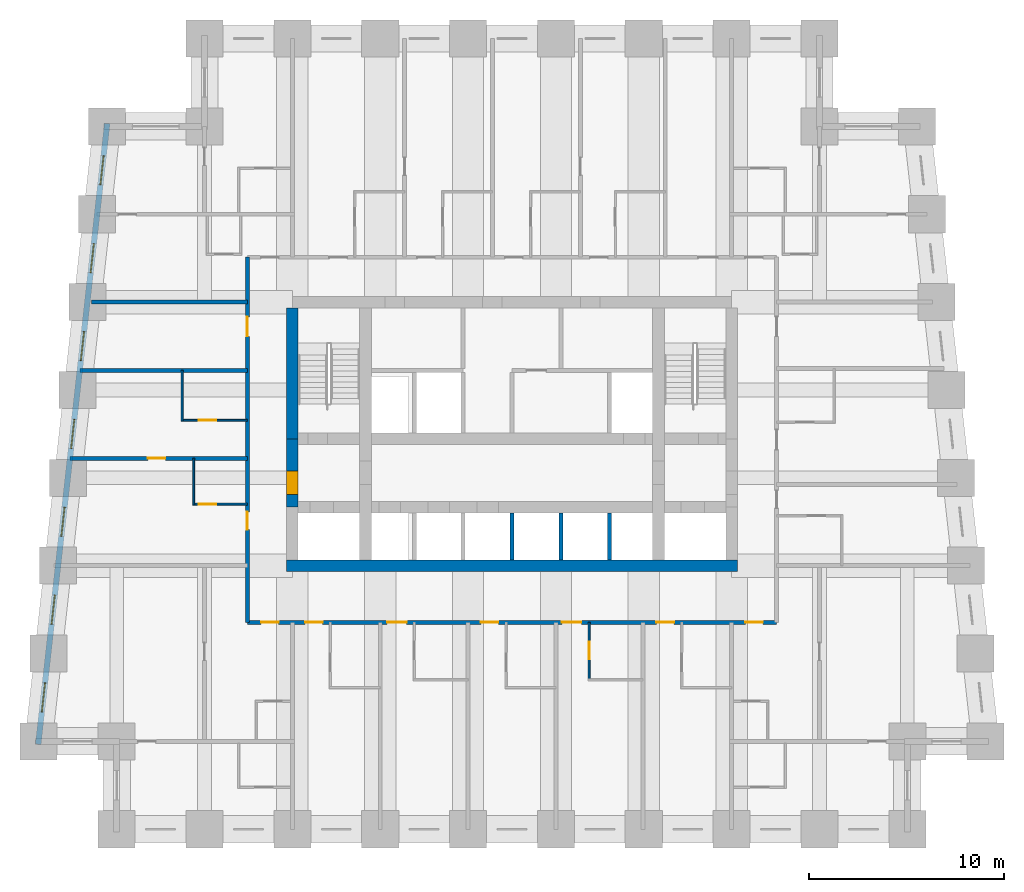
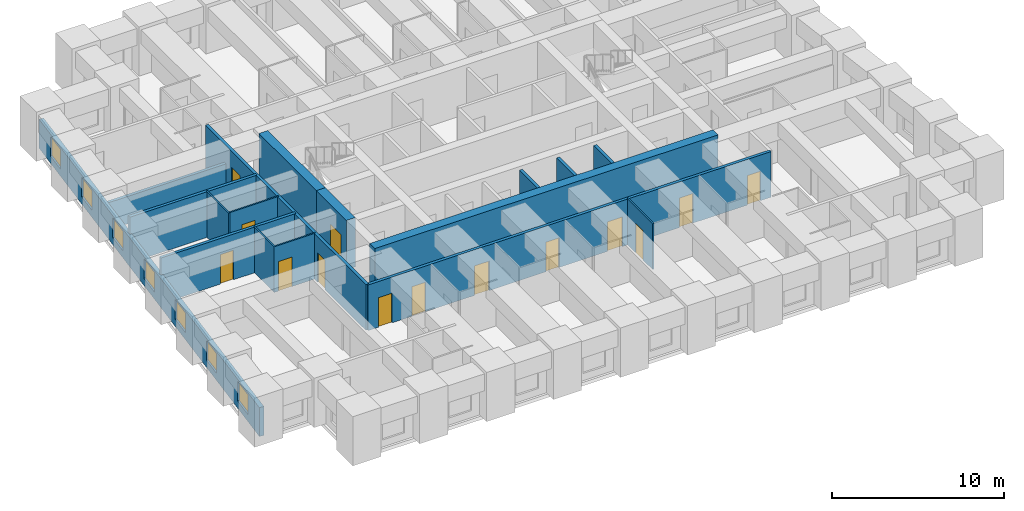
# One storey, part 3 of 8: 17 walls, 14 doors, 7 windows, 21 openings.
"""IFC4 building model written with IfcOpenShell, lengths in metres."""

from ifc_helpers import new_model, si_unit, direction, frame, frame_2d, origin, place, context, subcontext, project, spatial, rectangle, extrude, material, layer, layer_set, type_object, element, fill, save


model = new_model("IFC4")

# Units and contexts
model_context = context("Model", 3, precision=1e-05, world=origin(), true_north=direction((0.0, 1.0)))
body_context = subcontext(model_context, "Body", "Model", "MODEL_VIEW")
ifc_project = project(units=[si_unit("LENGTHUNIT", "METRE"), si_unit("AREAUNIT", "SQUARE_METRE"), si_unit("VOLUMEUNIT", "CUBIC_METRE"), si_unit("PLANEANGLEUNIT", "RADIAN"), si_unit("MASSUNIT", "GRAM", prefix="KILO")], contexts=[model_context])

# Site, building, storey
site_placement = place(None, origin())
site = spatial("IfcSite", under=ifc_project, at=site_placement, CompositionType="ELEMENT")
building_placement = place(site_placement, origin())
building = spatial("IfcBuilding", under=site, at=building_placement, Name="Kilele Tower Hotel", CompositionType="ELEMENT")
storey_placement = place(building_placement, frame((0.0, 0.0, 78.699951171875)))
storey = spatial("IfcBuildingStorey", under=building, at=storey_placement, Name="L19", CompositionType="ELEMENT", Elevation=78.699951171875)

# Wall, opening, door
ifc_material_1 = material(Name="Moisture-resistant board")
ifc_layer_1 = layer(ifc_material_1, 0.10009765625)
ifc_layer_set_1 = layer_set([ifc_layer_1], Name="Moisture-resistant board")
wall_type_1 = type_object("IfcWallType", Name="Bathroom partition 100", PredefinedType="PLUMBINGWALL", material=ifc_layer_set_1)
wall_1_placement = place(storey_placement, frame((28.699951171875, 10.60009765625, 0.0), z_axis=(0.0, 0.0, 1.0), x_axis=(0.0, -1.0, 0.0)))
wall_1 = element("IfcWall", 1, at=wall_1_placement, inside=storey, type_object=wall_type_1, Name="Bathroom partition 100 L19", PredefinedType="PLUMBINGWALL", context=body_context, shape_type="SweptSolid", body=[
    extrude(rectangle(XDim=3.0, YDim=0.10009765625, at=frame_2d((1.5, 0.0))), origin(), (0.0, 0.0, 1.0), 3.25),
])
opening_1_placement = place(wall_1_placement, frame((1.89990234375, 0.0, 0.0), z_axis=(0.0, 0.0, 1.0), x_axis=(-1.0, 0.0, 0.0)))
opening_1 = element("IfcOpeningElement", 2, at=opening_1_placement, cuts=wall_1, Name="Opening D2A", PredefinedType="OPENING", context=body_context, shape_type="SweptSolid", body=[
    extrude(rectangle(XDim=0.89990234375, YDim=2.10009765625, at=frame_2d((0.449951171875, 1.050048828125))), frame((0.0, 0.06005859375, 0.0), z_axis=(0.0, -1.0, 0.0), x_axis=(1.0, 0.0, 0.0)), (0.0, 0.0, 1.0), 0.1201171875),
])
ifc_material_2 = material(Name="Timber door leaf in hardwood frame", Category="wood")
door_type_1 = type_object("IfcDoorType", Name="Bathroom door 900", OperationType="SINGLE_SWING_LEFT", PredefinedType="DOOR", material=ifc_material_2)
door_1_placement = place(opening_1_placement, origin())
door_1 = element("IfcDoor", 3, at=door_1_placement, inside=storey, type_object=door_type_1, Name="Bathroom door 1904B", OperationType="SINGLE_SWING_RIGHT", OverallHeight=2.10009765625, OverallWidth=0.89990234375, PredefinedType="DOOR", context=body_context, shape_type="SweptSolid", body=[
    extrude(rectangle(XDim=0.89990234375, YDim=2.10009765625, at=frame_2d((0.449951171875, 1.050048828125))), frame((0.0, 0.02490234375, 0.0), z_axis=(0.0, -1.0, 0.0), x_axis=(1.0, 0.0, 0.0)), (0.0, 0.0, 1.0), 0.050048828125),
])
fill(opening_1, door_1)

# Wall
wall_2_placement = place(storey_placement, frame((8.449951171875, 16.60009765625, 0.0), z_axis=(0.0, 0.0, 1.0), x_axis=(0.0, 1.0, 0.0)))
element("IfcWall", 4, at=wall_2_placement, inside=storey, type_object=wall_type_1, Name="Bathroom partition 100 L19", PredefinedType="PLUMBINGWALL", context=body_context, shape_type="SweptSolid", body=[
    extrude(rectangle(XDim=2.39990234375, YDim=0.10009765625, at=frame_2d((1.199951171875, 0.0))), origin(), (0.0, 0.0, 1.0), 3.25),
])

# Wall, opening, door
wall_3_placement = place(storey_placement, frame((11.199951171875, 16.64990234375, 0.0), z_axis=(0.0, 0.0, 1.0), x_axis=(-1.0, 0.0, 0.0)))
wall_3 = element("IfcWall", 5, at=wall_3_placement, inside=storey, type_object=wall_type_1, Name="Bathroom partition 100 L19", PredefinedType="PLUMBINGWALL", context=body_context, shape_type="SweptSolid", body=[
    extrude(rectangle(XDim=2.800048828125, YDim=0.10009765625, at=frame_2d((1.39990234375, 0.0))), origin(), (0.0, 0.0, 1.0), 3.25),
])
opening_2_placement = place(wall_3_placement, frame((1.60009765625, 0.0, 0.0)))
opening_2 = element("IfcOpeningElement", 6, at=opening_2_placement, cuts=wall_3, Name="Opening D2A", PredefinedType="OPENING", context=body_context, shape_type="SweptSolid", body=[
    extrude(rectangle(XDim=0.89990234375, YDim=2.10009765625, at=frame_2d((0.449951171875, 1.050048828125))), frame((0.0, 0.06005859375, 0.0), z_axis=(0.0, -1.0, 0.0), x_axis=(1.0, 0.0, 0.0)), (0.0, 0.0, 1.0), 0.1201171875),
])
door_2_placement = place(opening_2_placement, origin())
door_2 = element("IfcDoor", 7, at=door_2_placement, inside=storey, type_object=door_type_1, Name="Bathroom door 1914B", OperationType="SINGLE_SWING_RIGHT", OverallHeight=2.10009765625, OverallWidth=0.89990234375, PredefinedType="DOOR", context=body_context, shape_type="SweptSolid", body=[
    extrude(rectangle(XDim=0.89990234375, YDim=2.10009765625, at=frame_2d((0.449951171875, 1.050048828125))), frame((0.0, 0.02490234375, 0.0), z_axis=(0.0, -1.0, 0.0), x_axis=(1.0, 0.0, 0.0)), (0.0, 0.0, 1.0), 0.050048828125),
])
fill(opening_2, door_2)

# Wall
wall_4_placement = place(storey_placement, frame((7.85009765625, 20.89990234375, 0.0), z_axis=(0.0, 0.0, 1.0), x_axis=(0.0, 1.0, 0.0)))
element("IfcWall", 8, at=wall_4_placement, inside=storey, type_object=wall_type_1, Name="Bathroom partition 100 L19", PredefinedType="PLUMBINGWALL", context=body_context, shape_type="SweptSolid", body=[
    extrude(rectangle(XDim=2.60009765625, YDim=0.10009765625, at=frame_2d((1.300048828125, 0.0))), origin(), (0.0, 0.0, 1.0), 3.25),
])

# Wall, opening, door
wall_5_placement = place(storey_placement, frame((11.199951171875, 20.949951171875, 0.0), z_axis=(0.0, 0.0, 1.0), x_axis=(-1.0, 0.0, 0.0)))
wall_5 = element("IfcWall", 9, at=wall_5_placement, inside=storey, type_object=wall_type_1, Name="Bathroom partition 100 L19", PredefinedType="PLUMBINGWALL", context=body_context, shape_type="SweptSolid", body=[
    extrude(rectangle(XDim=3.39990234375, YDim=0.10009765625, at=frame_2d((1.699951171875, 0.0))), origin(), (0.0, 0.0, 1.0), 3.25),
])
opening_3_placement = place(wall_5_placement, frame((1.60009765625, 0.0, 0.0)))
opening_3 = element("IfcOpeningElement", 10, at=opening_3_placement, cuts=wall_5, Name="Opening D2A", PredefinedType="OPENING", context=body_context, shape_type="SweptSolid", body=[
    extrude(rectangle(XDim=0.89990234375, YDim=2.10009765625, at=frame_2d((0.449951171875, 1.050048828125))), frame((0.0, 0.06005859375, 0.0), z_axis=(0.0, -1.0, 0.0), x_axis=(1.0, 0.0, 0.0)), (0.0, 0.0, 1.0), 0.1201171875),
])
door_3_placement = place(opening_3_placement, origin())
door_3 = element("IfcDoor", 11, at=door_3_placement, inside=storey, type_object=door_type_1, Name="Bathroom door 1915B", OperationType="SINGLE_SWING_RIGHT", OverallHeight=2.10009765625, OverallWidth=0.89990234375, PredefinedType="DOOR", context=body_context, shape_type="SweptSolid", body=[
    extrude(rectangle(XDim=0.89990234375, YDim=2.10009765625, at=frame_2d((0.449951171875, 1.050048828125))), frame((0.0, 0.02490234375, 0.0), z_axis=(0.0, -1.0, 0.0), x_axis=(1.0, 0.0, 0.0)), (0.0, 0.0, 1.0), 0.050048828125),
])
fill(opening_3, door_3)

# Walls
ifc_material_3 = material(Name="Concrete C60/75", Category="concrete")
ifc_layer_2 = layer(ifc_material_3, 0.60009765625)
ifc_layer_set_2 = layer_set([ifc_layer_2], Name="Concrete C60/75")
wall_type_2 = type_object("IfcWallType", Name="Core wall 600 C60/75", PredefinedType="SHEAR", material=ifc_layer_set_2)
wall_6_placement = place(storey_placement, frame((13.199951171875, 13.5, 0.0), z_axis=(0.0, 0.0, 1.0), x_axis=(1.0, 0.0, 0.0)))
element("IfcWall", 12, at=wall_6_placement, inside=storey, type_object=wall_type_2, Name="Core wall S L19", PredefinedType="SHEAR", context=body_context, shape_type="SweptSolid", body=[
    extrude(rectangle(XDim=23.10009765625, YDim=0.60009765625, at=frame_2d((11.550048828125, 0.0))), origin(), (0.0, 0.0, 1.0), 3.5),
])
wall_7_placement = place(storey_placement, frame((13.5, 26.699951171875, 0.0), z_axis=(0.0, 0.0, 1.0), x_axis=(0.0, -1.0, 0.0)))
element("IfcWall", 13, at=wall_7_placement, inside=storey, type_object=wall_type_2, Name="Core wall W1 L19", PredefinedType="SHEAR", context=body_context, shape_type="SweptSolid", body=[
    extrude(rectangle(XDim=6.699951171875, YDim=0.60009765625, at=frame_2d((3.35009765625, 0.0))), origin(), (0.0, 0.0, 1.0), 3.5),
])

# Wall, opening, door
wall_8_placement = place(storey_placement, frame((13.5, 20.0, 0.0), z_axis=(0.0, 0.0, 1.0), x_axis=(0.0, -1.0, 0.0)))
wall_8 = element("IfcWall", 14, at=wall_8_placement, inside=storey, type_object=wall_type_2, Name="Core wall W2 L19", PredefinedType="SHEAR", context=body_context, shape_type="SweptSolid", body=[
    extrude(rectangle(XDim=3.5, YDim=0.60009765625, at=frame_2d((1.75, 0.0))), origin(), (0.0, 0.0, 1.0), 3.5),
])
opening_4_placement = place(wall_8_placement, frame((1.64990234375, 0.0, 0.0)))
opening_4 = element("IfcOpeningElement", 15, at=opening_4_placement, cuts=wall_8, Name="Opening D4", PredefinedType="OPENING", context=body_context, shape_type="SweptSolid", body=[
    extrude(rectangle(XDim=1.199951171875, YDim=2.10009765625, at=frame_2d((0.60009765625, 1.050048828125))), frame((0.0, 0.31005859375, 0.0), z_axis=(0.0, -1.0, 0.0), x_axis=(1.0, 0.0, 0.0)), (0.0, 0.0, 1.0), 0.6201171875),
])
ifc_material_4 = material(Name="Timber door leaf in hardwood frame", Category="wood")
door_type_2 = type_object("IfcDoorType", Name="Firefighting lobby door 1200", OperationType="SINGLE_SWING_LEFT", PredefinedType="DOOR", material=ifc_material_4)
door_4_placement = place(opening_4_placement, origin())
door_4 = element("IfcDoor", 16, at=door_4_placement, inside=storey, type_object=door_type_2, Name="Lobby door L19", OperationType="SINGLE_SWING_RIGHT", OverallHeight=2.10009765625, OverallWidth=1.199951171875, PredefinedType="DOOR", context=body_context, shape_type="SweptSolid", body=[
    extrude(rectangle(XDim=1.199951171875, YDim=2.10009765625, at=frame_2d((0.60009765625, 1.050048828125))), frame((0.0, 0.2998046875, 0.0), z_axis=(0.0, -1.0, 0.0), x_axis=(1.0, 0.0, 0.0)), (0.0, 0.0, 1.0), 0.599609375),
])
fill(opening_4, door_4)

# Wall, openings, doors
ifc_material_5 = material(Name="Blockwork, plastered both sides", Category="masonry")
ifc_layer_3 = layer(ifc_material_5, 0.199951171875)
ifc_layer_set_3 = layer_set([ifc_layer_3], Name="Blockwork, plastered both sides")
wall_type_3 = type_object("IfcWallType", Name="Corridor wall 200", PredefinedType="PARTITIONING", material=ifc_layer_set_3)
wall_9_placement = place(storey_placement, frame((11.199951171875, 10.60009765625, 0.0), z_axis=(0.0, 0.0, 1.0), x_axis=(1.0, 0.0, 0.0)))
wall_9 = element("IfcWall", 17, at=wall_9_placement, inside=storey, type_object=wall_type_3, Name="Corridor wall 200 L19", PredefinedType="PARTITIONING", context=body_context, shape_type="SweptSolid", body=[
    extrude(rectangle(XDim=27.10009765625, YDim=0.199951171875, at=frame_2d((13.550048828125, 0.0))), origin(), (0.0, 0.0, 1.0), 3.25),
])
opening_5_placement = place(wall_9_placement, frame((3.849853515625, 0.0, 0.0), z_axis=(0.0, 0.0, 1.0), x_axis=(-1.0, 0.0, 0.0)))
opening_5 = element("IfcOpeningElement", 18, at=opening_5_placement, cuts=wall_9, Name="Opening D1", PredefinedType="OPENING", context=body_context, shape_type="SweptSolid", body=[
    extrude(rectangle(XDim=0.89990234375, YDim=2.10009765625, at=frame_2d((0.449951171875, 1.050048828125))), frame((0.0, 0.10986328125, 0.0), z_axis=(0.0, -1.0, 0.0), x_axis=(1.0, 0.0, 0.0)), (0.0, 0.0, 1.0), 0.219970703125),
])
opening_6_placement = place(wall_9_placement, frame((8.14990234375, 0.0, 0.0), z_axis=(0.0, 0.0, 1.0), x_axis=(-1.0, 0.0, 0.0)))
opening_6 = element("IfcOpeningElement", 19, at=opening_6_placement, cuts=wall_9, Name="Opening D1A", PredefinedType="OPENING", context=body_context, shape_type="SweptSolid", body=[
    extrude(rectangle(XDim=1.0, YDim=2.10009765625, at=frame_2d((0.5, 1.050048828125))), frame((0.0, 0.10986328125, 0.0), z_axis=(0.0, -1.0, 0.0), x_axis=(1.0, 0.0, 0.0)), (0.0, 0.0, 1.0), 0.219970703125),
])
opening_7_placement = place(wall_9_placement, frame((12.849853515625, 0.0, 0.0), z_axis=(0.0, 0.0, 1.0), x_axis=(-1.0, 0.0, 0.0)))
opening_7 = element("IfcOpeningElement", 20, at=opening_7_placement, cuts=wall_9, Name="Opening D1", PredefinedType="OPENING", context=body_context, shape_type="SweptSolid", body=[
    extrude(rectangle(XDim=0.89990234375, YDim=2.10009765625, at=frame_2d((0.449951171875, 1.050048828125))), frame((0.0, 0.10986328125, 0.0), z_axis=(0.0, -1.0, 0.0), x_axis=(1.0, 0.0, 0.0)), (0.0, 0.0, 1.0), 0.219970703125),
])
opening_8_placement = place(wall_9_placement, frame((17.10009765625, 0.0, 0.0), z_axis=(0.0, 0.0, 1.0), x_axis=(-1.0, 0.0, 0.0)))
opening_8 = element("IfcOpeningElement", 21, at=opening_8_placement, cuts=wall_9, Name="Opening D1A", PredefinedType="OPENING", context=body_context, shape_type="SweptSolid", body=[
    extrude(rectangle(XDim=1.0, YDim=2.10009765625, at=frame_2d((0.5, 1.050048828125))), frame((0.0, 0.10986328125, 0.0), z_axis=(0.0, -1.0, 0.0), x_axis=(1.0, 0.0, 0.0)), (0.0, 0.0, 1.0), 0.219970703125),
])
opening_9_placement = place(wall_9_placement, frame((21.849853515625, 0.0, 0.0), z_axis=(0.0, 0.0, 1.0), x_axis=(-1.0, 0.0, 0.0)))
opening_9 = element("IfcOpeningElement", 22, at=opening_9_placement, cuts=wall_9, Name="Opening D1", PredefinedType="OPENING", context=body_context, shape_type="SweptSolid", body=[
    extrude(rectangle(XDim=0.89990234375, YDim=2.10009765625, at=frame_2d((0.449951171875, 1.050048828125))), frame((0.0, 0.10986328125, 0.0), z_axis=(0.0, -1.0, 0.0), x_axis=(1.0, 0.0, 0.0)), (0.0, 0.0, 1.0), 0.219970703125),
])
opening_10_placement = place(wall_9_placement, frame((1.599853515625, 0.0, 0.0), z_axis=(0.0, 0.0, 1.0), x_axis=(-1.0, 0.0, 0.0)))
opening_10 = element("IfcOpeningElement", 23, at=opening_10_placement, cuts=wall_9, Name="Opening D1", PredefinedType="OPENING", context=body_context, shape_type="SweptSolid", body=[
    extrude(rectangle(XDim=0.89990234375, YDim=2.10009765625, at=frame_2d((0.449951171875, 1.050048828125))), frame((0.0, 0.10986328125, 0.0), z_axis=(0.0, -1.0, 0.0), x_axis=(1.0, 0.0, 0.0)), (0.0, 0.0, 1.0), 0.219970703125),
])
opening_11_placement = place(wall_9_placement, frame((26.39990234375, 0.0, 0.0), z_axis=(0.0, 0.0, 1.0), x_axis=(-1.0, 0.0, 0.0)))
opening_11 = element("IfcOpeningElement", 24, at=opening_11_placement, cuts=wall_9, Name="Opening D1", PredefinedType="OPENING", context=body_context, shape_type="SweptSolid", body=[
    extrude(rectangle(XDim=0.89990234375, YDim=2.10009765625, at=frame_2d((0.449951171875, 1.050048828125))), frame((0.0, 0.10986328125, 0.0), z_axis=(0.0, -1.0, 0.0), x_axis=(1.0, 0.0, 0.0)), (0.0, 0.0, 1.0), 0.219970703125),
])
ifc_material_6 = material(Name="Timber door leaf in hardwood frame", Category="wood")
door_type_3 = type_object("IfcDoorType", Name="Guest room entrance door 1000", OperationType="SINGLE_SWING_LEFT", PredefinedType="DOOR", material=ifc_material_6)
door_5_placement = place(opening_6_placement, origin())
door_5 = element("IfcDoor", 25, at=door_5_placement, inside=storey, type_object=door_type_3, Name="Room entrance 1902", OperationType="SINGLE_SWING_RIGHT", OverallHeight=2.10009765625, OverallWidth=1.0, PredefinedType="DOOR", context=body_context, shape_type="SweptSolid", body=[
    extrude(rectangle(XDim=1.0, YDim=2.10009765625, at=frame_2d((0.5, 1.050048828125))), frame((0.0, 0.02490234375, 0.0), z_axis=(0.0, -1.0, 0.0), x_axis=(1.0, 0.0, 0.0)), (0.0, 0.0, 1.0), 0.050048828125),
])
fill(opening_6, door_5)
door_6_placement = place(opening_8_placement, origin())
door_6 = element("IfcDoor", 26, at=door_6_placement, inside=storey, type_object=door_type_3, Name="Room entrance 1904", OperationType="SINGLE_SWING_RIGHT", OverallHeight=2.10009765625, OverallWidth=1.0, PredefinedType="DOOR", context=body_context, shape_type="SweptSolid", body=[
    extrude(rectangle(XDim=1.0, YDim=2.10009765625, at=frame_2d((0.5, 1.050048828125))), frame((0.0, 0.02490234375, 0.0), z_axis=(0.0, -1.0, 0.0), x_axis=(1.0, 0.0, 0.0)), (0.0, 0.0, 1.0), 0.050048828125),
])
fill(opening_8, door_6)
ifc_material_7 = material(Name="Timber door leaf in hardwood frame", Category="wood")
door_type_4 = type_object("IfcDoorType", Name="Guest room entrance door 900", OperationType="SINGLE_SWING_LEFT", PredefinedType="DOOR", material=ifc_material_7)
door_7_placement = place(opening_5_placement, origin())
door_7 = element("IfcDoor", 27, at=door_7_placement, inside=storey, type_object=door_type_4, Name="Room entrance 1901", OperationType="SINGLE_SWING_LEFT", OverallHeight=2.10009765625, OverallWidth=0.89990234375, PredefinedType="DOOR", context=body_context, shape_type="SweptSolid", body=[
    extrude(rectangle(XDim=0.89990234375, YDim=2.10009765625, at=frame_2d((0.449951171875, 1.050048828125))), frame((0.0, 0.02490234375, 0.0), z_axis=(0.0, -1.0, 0.0), x_axis=(1.0, 0.0, 0.0)), (0.0, 0.0, 1.0), 0.050048828125),
])
fill(opening_5, door_7)
door_8_placement = place(opening_7_placement, origin())
door_8 = element("IfcDoor", 28, at=door_8_placement, inside=storey, type_object=door_type_4, Name="Room entrance 1903", OperationType="SINGLE_SWING_LEFT", OverallHeight=2.10009765625, OverallWidth=0.89990234375, PredefinedType="DOOR", context=body_context, shape_type="SweptSolid", body=[
    extrude(rectangle(XDim=0.89990234375, YDim=2.10009765625, at=frame_2d((0.449951171875, 1.050048828125))), frame((0.0, 0.02490234375, 0.0), z_axis=(0.0, -1.0, 0.0), x_axis=(1.0, 0.0, 0.0)), (0.0, 0.0, 1.0), 0.050048828125),
])
fill(opening_7, door_8)
door_9_placement = place(opening_9_placement, origin())
door_9 = element("IfcDoor", 29, at=door_9_placement, inside=storey, type_object=door_type_4, Name="Room entrance 1905", OperationType="SINGLE_SWING_LEFT", OverallHeight=2.10009765625, OverallWidth=0.89990234375, PredefinedType="DOOR", context=body_context, shape_type="SweptSolid", body=[
    extrude(rectangle(XDim=0.89990234375, YDim=2.10009765625, at=frame_2d((0.449951171875, 1.050048828125))), frame((0.0, 0.02490234375, 0.0), z_axis=(0.0, -1.0, 0.0), x_axis=(1.0, 0.0, 0.0)), (0.0, 0.0, 1.0), 0.050048828125),
])
fill(opening_9, door_9)
door_10_placement = place(opening_10_placement, origin())
door_10 = element("IfcDoor", 30, at=door_10_placement, inside=storey, type_object=door_type_4, Name="Room entrance 1917", OperationType="SINGLE_SWING_LEFT", OverallHeight=2.10009765625, OverallWidth=0.89990234375, PredefinedType="DOOR", context=body_context, shape_type="SweptSolid", body=[
    extrude(rectangle(XDim=0.89990234375, YDim=2.10009765625, at=frame_2d((0.449951171875, 1.050048828125))), frame((0.0, 0.02490234375, 0.0), z_axis=(0.0, -1.0, 0.0), x_axis=(1.0, 0.0, 0.0)), (0.0, 0.0, 1.0), 0.050048828125),
])
fill(opening_10, door_10)
door_11_placement = place(opening_11_placement, origin())
door_11 = element("IfcDoor", 31, at=door_11_placement, inside=storey, type_object=door_type_4, Name="Room entrance 1920", OperationType="SINGLE_SWING_RIGHT", OverallHeight=2.10009765625, OverallWidth=0.89990234375, PredefinedType="DOOR", context=body_context, shape_type="SweptSolid", body=[
    extrude(rectangle(XDim=0.89990234375, YDim=2.10009765625, at=frame_2d((0.449951171875, 1.050048828125))), frame((0.0, 0.02490234375, 0.0), z_axis=(0.0, -1.0, 0.0), x_axis=(1.0, 0.0, 0.0)), (0.0, 0.0, 1.0), 0.050048828125),
])
fill(opening_11, door_11)

wall_10_placement = place(storey_placement, frame((11.199951171875, 10.60009765625, 0.0), z_axis=(0.0, 0.0, 1.0), x_axis=(0.0, 1.0, 0.0)))
wall_10 = element("IfcWall", 32, at=wall_10_placement, inside=storey, type_object=wall_type_3, Name="Corridor wall 200 L19", PredefinedType="PARTITIONING", context=body_context, shape_type="SweptSolid", body=[
    extrude(rectangle(XDim=18.699951171875, YDim=0.199951171875, at=frame_2d((9.35009765625, 0.0))), origin(), (0.0, 0.0, 1.0), 3.25),
])
opening_12_placement = place(wall_10_placement, frame((4.75, 0.0, 0.0)))
opening_12 = element("IfcOpeningElement", 33, at=opening_12_placement, cuts=wall_10, Name="Opening D1", PredefinedType="OPENING", context=body_context, shape_type="SweptSolid", body=[
    extrude(rectangle(XDim=0.89990234375, YDim=2.10009765625, at=frame_2d((0.449951171875, 1.050048828125))), frame((0.0, 0.10986328125, 0.0), z_axis=(0.0, -1.0, 0.0), x_axis=(1.0, 0.0, 0.0)), (0.0, 0.0, 1.0), 0.219970703125),
])
opening_13_placement = place(wall_10_placement, frame((14.64990234375, 0.0, 0.0)))
opening_13 = element("IfcOpeningElement", 34, at=opening_13_placement, cuts=wall_10, Name="Opening D8", PredefinedType="OPENING", context=body_context, shape_type="SweptSolid", body=[
    extrude(rectangle(XDim=1.0, YDim=2.10009765625, at=frame_2d((0.5, 1.050048828125))), frame((0.0, 0.10986328125, 0.0), z_axis=(0.0, -1.0, 0.0), x_axis=(1.0, 0.0, 0.0)), (0.0, 0.0, 1.0), 0.219970703125),
])
ifc_material_8 = material(Name="Timber door leaf in hardwood frame", Category="wood")
door_type_5 = type_object("IfcDoorType", Name="Door 1000", OperationType="SINGLE_SWING_LEFT", PredefinedType="DOOR", material=ifc_material_8)
door_12_placement = place(opening_13_placement, origin())
door_12 = element("IfcDoor", 35, at=door_12_placement, inside=storey, type_object=door_type_5, Name="Room entrance 1916", OperationType="SINGLE_SWING_RIGHT", OverallHeight=2.10009765625, OverallWidth=1.0, PredefinedType="DOOR", context=body_context, shape_type="SweptSolid", body=[
    extrude(rectangle(XDim=1.0, YDim=2.10009765625, at=frame_2d((0.5, 1.050048828125))), frame((0.0, 0.02490234375, 0.0), z_axis=(0.0, -1.0, 0.0), x_axis=(1.0, 0.0, 0.0)), (0.0, 0.0, 1.0), 0.050048828125),
])
fill(opening_13, door_12)
door_13_placement = place(opening_12_placement, origin())
door_13 = element("IfcDoor", 36, at=door_13_placement, inside=storey, type_object=door_type_4, Name="Room entrance 1914", OperationType="SINGLE_SWING_RIGHT", OverallHeight=2.10009765625, OverallWidth=0.89990234375, PredefinedType="DOOR", context=body_context, shape_type="SweptSolid", body=[
    extrude(rectangle(XDim=0.89990234375, YDim=2.10009765625, at=frame_2d((0.449951171875, 1.050048828125))), frame((0.0, 0.02490234375, 0.0), z_axis=(0.0, -1.0, 0.0), x_axis=(1.0, 0.0, 0.0)), (0.0, 0.0, 1.0), 0.050048828125),
])
fill(opening_12, door_13)

# Wall, opening, door
ifc_material_9 = material(Name="Blockwork, plastered both sides", Category="masonry")
ifc_layer_4 = layer(ifc_material_9, 0.199951171875)
ifc_layer_set_4 = layer_set([ifc_layer_4], Name="Blockwork, plastered both sides")
wall_type_4 = type_object("IfcWallType", Name="Party wall 200", PredefinedType="PARTITIONING", material=ifc_layer_set_4)
wall_11_placement = place(storey_placement, frame((11.199951171875, 19.0, 0.0), z_axis=(0.0, 0.0, 1.0), x_axis=(-1.0, 0.0, 0.0)))
wall_11 = element("IfcWall", 37, at=wall_11_placement, inside=storey, type_object=wall_type_4, Name="Party wall 200 L19", PredefinedType="PARTITIONING", context=body_context, shape_type="SweptSolid", body=[
    extrude(rectangle(XDim=9.087890625, YDim=0.199951171875, at=frame_2d((4.5439453125, 0.0))), origin(), (0.0, 0.0, 1.0), 3.25),
])
opening_14_placement = place(wall_11_placement, frame((4.199951171875, 0.0, 0.0)))
opening_14 = element("IfcOpeningElement", 38, at=opening_14_placement, cuts=wall_11, Name="Opening D3", PredefinedType="OPENING", context=body_context, shape_type="SweptSolid", body=[
    extrude(rectangle(XDim=0.89990234375, YDim=2.10009765625, at=frame_2d((0.449951171875, 1.050048828125))), frame((0.0, 0.10986328125, 0.0), z_axis=(0.0, -1.0, 0.0), x_axis=(1.0, 0.0, 0.0)), (0.0, 0.0, 1.0), 0.219970703125),
])
ifc_material_10 = material(Name="Timber door leaf in hardwood frame", Category="wood")
door_type_6 = type_object("IfcDoorType", Name="Suite internal door 900", OperationType="SINGLE_SWING_LEFT", PredefinedType="DOOR", material=ifc_material_10)
door_14_placement = place(opening_14_placement, origin())
door_14 = element("IfcDoor", 39, at=door_14_placement, inside=storey, type_object=door_type_6, Name="Suite door 1915", OperationType="SINGLE_SWING_LEFT", OverallHeight=2.10009765625, OverallWidth=0.89990234375, PredefinedType="DOOR", context=body_context, shape_type="SweptSolid", body=[
    extrude(rectangle(XDim=0.89990234375, YDim=2.10009765625, at=frame_2d((0.449951171875, 1.050048828125))), frame((0.0, 0.02490234375, 0.0), z_axis=(0.0, -1.0, 0.0), x_axis=(1.0, 0.0, 0.0)), (0.0, 0.0, 1.0), 0.050048828125),
])
fill(opening_14, door_14)

# Walls
wall_12_placement = place(storey_placement, frame((11.199951171875, 23.5, 0.0), z_axis=(0.0, 0.0, 1.0), x_axis=(-1.0, 0.0, 0.0)))
element("IfcWall", 40, at=wall_12_placement, inside=storey, type_object=wall_type_4, Name="Party wall 200 L19", PredefinedType="PARTITIONING", context=body_context, shape_type="SweptSolid", body=[
    extrude(rectangle(XDim=8.587890625, YDim=0.199951171875, at=frame_2d((4.2939453125, 0.0))), origin(), (0.0, 0.0, 1.0), 3.25),
])
wall_13_placement = place(storey_placement, frame((11.199951171875, 27.0, 0.0), z_axis=(0.0, 0.0, 1.0), x_axis=(-1.0, 0.0, 0.0)))
element("IfcWall", 41, at=wall_13_placement, inside=storey, type_object=wall_type_4, Name="Party wall 200 L19", PredefinedType="PARTITIONING", context=body_context, shape_type="SweptSolid", body=[
    extrude(rectangle(XDim=7.976806640625, YDim=0.199951171875, at=frame_2d((3.98828125, 0.0))), origin(), (0.0, 0.0, 1.0), 1.949951171875),
])

# Wall, openings, windows
ifc_material_11 = material(Name="Concrete C40/50 precast", Category="concrete")
ifc_layer_5 = layer(ifc_material_11, 0.260009765625, Name="Precast backing", Category="LoadBearing")
ifc_material_12 = material(Name="Reconstituted stone finish", Category="masonry")
ifc_layer_6 = layer(ifc_material_12, 0.0400390625, Name="Face mix", Category="Finish")
ifc_layer_set_5 = layer_set([ifc_layer_5, ifc_layer_6], Name="Precast concrete C40/50, reconstituted stone finish")
wall_type_5 = type_object("IfcWallType", Name="Precast stone facade wall 300", PredefinedType="STANDARD", material=ifc_layer_set_5)
wall_14_placement = place(storey_placement, frame((4.0166015625, 36.149169921875, 0.0), z_axis=(0.0, 0.0, 1.0), x_axis=(-0.110433201132, -0.993883548555, 0.0)))
wall_14 = element("IfcWall", 42, at=wall_14_placement, inside=storey, type_object=wall_type_5, Name="Facade wall L19 edge 12", PredefinedType="STANDARD", context=body_context, shape_type="SweptSolid", body=[
    extrude(rectangle(XDim=31.994140625, YDim=0.300048828125, at=frame_2d((15.9970703125, 0.0))), origin(), (0.0, 0.0, 1.0), 2.050048828125),
])
opening_15_placement = place(wall_14_placement, frame((1.6640625, 0.0, 0.5)))
opening_15 = element("IfcOpeningElement", 43, at=opening_15_placement, cuts=wall_14, Name="Opening W1", PredefinedType="OPENING", context=body_context, shape_type="SweptSolid", body=[
    extrude(rectangle(XDim=1.5, YDim=1.39990234375, at=frame_2d((0.75, 0.699951171875))), frame((0.0, 0.159912109375, 0.0), z_axis=(0.0, -1.0, 0.0), x_axis=(1.0, 0.0, 0.0)), (0.0, 0.0, 1.0), 0.320068359375),
])
opening_16_placement = place(wall_14_placement, frame((6.19189453125, 0.0, 0.5)))
opening_16 = element("IfcOpeningElement", 44, at=opening_16_placement, cuts=wall_14, Name="Opening W1", PredefinedType="OPENING", context=body_context, shape_type="SweptSolid", body=[
    extrude(rectangle(XDim=1.5, YDim=1.39990234375, at=frame_2d((0.75, 0.699951171875))), frame((0.0, 0.159912109375, 0.0), z_axis=(0.0, -1.0, 0.0), x_axis=(1.0, 0.0, 0.0)), (0.0, 0.0, 1.0), 0.320068359375),
])
opening_17_placement = place(wall_14_placement, frame((10.718994140625, 0.0, 0.5)))
opening_17 = element("IfcOpeningElement", 45, at=opening_17_placement, cuts=wall_14, Name="Opening W1", PredefinedType="OPENING", context=body_context, shape_type="SweptSolid", body=[
    extrude(rectangle(XDim=1.5, YDim=1.39990234375, at=frame_2d((0.75, 0.699951171875))), frame((0.0, 0.159912109375, 0.0), z_axis=(0.0, -1.0, 0.0), x_axis=(1.0, 0.0, 0.0)), (0.0, 0.0, 1.0), 0.320068359375),
])
opening_18_placement = place(wall_14_placement, frame((15.2470703125, 0.0, 0.5)))
opening_18 = element("IfcOpeningElement", 46, at=opening_18_placement, cuts=wall_14, Name="Opening W1", PredefinedType="OPENING", context=body_context, shape_type="SweptSolid", body=[
    extrude(rectangle(XDim=1.5, YDim=1.39990234375, at=frame_2d((0.75, 0.699951171875))), frame((0.0, 0.159912109375, 0.0), z_axis=(0.0, -1.0, 0.0), x_axis=(1.0, 0.0, 0.0)), (0.0, 0.0, 1.0), 0.320068359375),
])
opening_19_placement = place(wall_14_placement, frame((19.77490234375, 0.0, 0.5)))
opening_19 = element("IfcOpeningElement", 47, at=opening_19_placement, cuts=wall_14, Name="Opening W1", PredefinedType="OPENING", context=body_context, shape_type="SweptSolid", body=[
    extrude(rectangle(XDim=1.5, YDim=1.39990234375, at=frame_2d((0.75, 0.699951171875))), frame((0.0, 0.159912109375, 0.0), z_axis=(0.0, -1.0, 0.0), x_axis=(1.0, 0.0, 0.0)), (0.0, 0.0, 1.0), 0.320068359375),
])
opening_20_placement = place(wall_14_placement, frame((24.302001953125, 0.0, 0.5)))
opening_20 = element("IfcOpeningElement", 48, at=opening_20_placement, cuts=wall_14, Name="Opening W1", PredefinedType="OPENING", context=body_context, shape_type="SweptSolid", body=[
    extrude(rectangle(XDim=1.5, YDim=1.39990234375, at=frame_2d((0.75, 0.699951171875))), frame((0.0, 0.159912109375, 0.0), z_axis=(0.0, -1.0, 0.0), x_axis=(1.0, 0.0, 0.0)), (0.0, 0.0, 1.0), 0.320068359375),
])
opening_21_placement = place(wall_14_placement, frame((28.830078125, 0.0, 0.5)))
opening_21 = element("IfcOpeningElement", 49, at=opening_21_placement, cuts=wall_14, Name="Opening W1", PredefinedType="OPENING", context=body_context, shape_type="SweptSolid", body=[
    extrude(rectangle(XDim=1.5, YDim=1.39990234375, at=frame_2d((0.75, 0.699951171875))), frame((0.0, 0.159912109375, 0.0), z_axis=(0.0, -1.0, 0.0), x_axis=(1.0, 0.0, 0.0)), (0.0, 0.0, 1.0), 0.320068359375),
])
ifc_material_13 = material(Name="Aluminium frame, clear double glazing", Category="aluminium")
window_type = type_object("IfcWindowType", Name="Window W1 1500 x 1400", PartitioningType="SINGLE_PANEL", PredefinedType="WINDOW", material=ifc_material_13)
window_1_placement = place(opening_15_placement, origin())
window_1 = element("IfcWindow", 50, at=window_1_placement, inside=storey, type_object=window_type, Name="Window L19", OverallHeight=1.39990234375, OverallWidth=1.5, PartitioningType="SINGLE_PANEL", PredefinedType="WINDOW", context=body_context, shape_type="SweptSolid", body=[
    extrude(rectangle(XDim=1.5, YDim=1.39990234375, at=frame_2d((0.75, 0.699951171875))), frame((0.0, 0.030029296875, 0.0), z_axis=(0.0, -1.0, 0.0), x_axis=(1.0, 0.0, 0.0)), (0.0, 0.0, 1.0), 0.06005859375),
])
fill(opening_15, window_1)
window_2_placement = place(opening_16_placement, origin())
window_2 = element("IfcWindow", 51, at=window_2_placement, inside=storey, type_object=window_type, Name="Window L19", OverallHeight=1.39990234375, OverallWidth=1.5, PartitioningType="SINGLE_PANEL", PredefinedType="WINDOW", context=body_context, shape_type="SweptSolid", body=[
    extrude(rectangle(XDim=1.5, YDim=1.39990234375, at=frame_2d((0.75, 0.699951171875))), frame((0.0, 0.030029296875, 0.0), z_axis=(0.0, -1.0, 0.0), x_axis=(1.0, 0.0, 0.0)), (0.0, 0.0, 1.0), 0.06005859375),
])
fill(opening_16, window_2)
window_3_placement = place(opening_17_placement, origin())
window_3 = element("IfcWindow", 52, at=window_3_placement, inside=storey, type_object=window_type, Name="Window L19", OverallHeight=1.39990234375, OverallWidth=1.5, PartitioningType="SINGLE_PANEL", PredefinedType="WINDOW", context=body_context, shape_type="SweptSolid", body=[
    extrude(rectangle(XDim=1.5, YDim=1.39990234375, at=frame_2d((0.75, 0.699951171875))), frame((0.0, 0.030029296875, 0.0), z_axis=(0.0, -1.0, 0.0), x_axis=(1.0, 0.0, 0.0)), (0.0, 0.0, 1.0), 0.06005859375),
])
fill(opening_17, window_3)
window_4_placement = place(opening_18_placement, origin())
window_4 = element("IfcWindow", 53, at=window_4_placement, inside=storey, type_object=window_type, Name="Window L19", OverallHeight=1.39990234375, OverallWidth=1.5, PartitioningType="SINGLE_PANEL", PredefinedType="WINDOW", context=body_context, shape_type="SweptSolid", body=[
    extrude(rectangle(XDim=1.5, YDim=1.39990234375, at=frame_2d((0.75, 0.699951171875))), frame((0.0, 0.030029296875, 0.0), z_axis=(0.0, -1.0, 0.0), x_axis=(1.0, 0.0, 0.0)), (0.0, 0.0, 1.0), 0.06005859375),
])
fill(opening_18, window_4)
window_5_placement = place(opening_19_placement, origin())
window_5 = element("IfcWindow", 54, at=window_5_placement, inside=storey, type_object=window_type, Name="Window L19", OverallHeight=1.39990234375, OverallWidth=1.5, PartitioningType="SINGLE_PANEL", PredefinedType="WINDOW", context=body_context, shape_type="SweptSolid", body=[
    extrude(rectangle(XDim=1.5, YDim=1.39990234375, at=frame_2d((0.75, 0.699951171875))), frame((0.0, 0.030029296875, 0.0), z_axis=(0.0, -1.0, 0.0), x_axis=(1.0, 0.0, 0.0)), (0.0, 0.0, 1.0), 0.06005859375),
])
fill(opening_19, window_5)
window_6_placement = place(opening_20_placement, origin())
window_6 = element("IfcWindow", 55, at=window_6_placement, inside=storey, type_object=window_type, Name="Window L19", OverallHeight=1.39990234375, OverallWidth=1.5, PartitioningType="SINGLE_PANEL", PredefinedType="WINDOW", context=body_context, shape_type="SweptSolid", body=[
    extrude(rectangle(XDim=1.5, YDim=1.39990234375, at=frame_2d((0.75, 0.699951171875))), frame((0.0, 0.030029296875, 0.0), z_axis=(0.0, -1.0, 0.0), x_axis=(1.0, 0.0, 0.0)), (0.0, 0.0, 1.0), 0.06005859375),
])
fill(opening_20, window_6)
window_7_placement = place(opening_21_placement, origin())
window_7 = element("IfcWindow", 56, at=window_7_placement, inside=storey, type_object=window_type, Name="Window L19", OverallHeight=1.39990234375, OverallWidth=1.5, PartitioningType="SINGLE_PANEL", PredefinedType="WINDOW", context=body_context, shape_type="SweptSolid", body=[
    extrude(rectangle(XDim=1.5, YDim=1.39990234375, at=frame_2d((0.75, 0.699951171875))), frame((0.0, 0.030029296875, 0.0), z_axis=(0.0, -1.0, 0.0), x_axis=(1.0, 0.0, 0.0)), (0.0, 0.0, 1.0), 0.06005859375),
])
fill(opening_21, window_7)

# Walls
ifc_material_14 = material(Name="Blockwork, fire-rated", Category="masonry")
ifc_layer_7 = layer(ifc_material_14, 0.199951171875)
ifc_layer_set_6 = layer_set([ifc_layer_7], Name="Blockwork, fire-rated")
wall_type_6 = type_object("IfcWallType", Name="Shaft wall 200", PredefinedType="PARTITIONING", material=ifc_layer_set_6)
for number, where, z_axis, x_axis, name in (
    (57, (24.75, 13.800048828125, 0.0), (0.0, 0.0, 1.0), (0.0, 1.0, 0.0), "Shaft wall 200 L19"),
    (58, (27.25, 13.800048828125, 0.0), (0.0, 0.0, 1.0), (0.0, 1.0, 0.0), "Shaft wall 200 L19"),
    (59, (29.75, 13.800048828125, 0.0), (0.0, 0.0, 1.0), (0.0, 1.0, 0.0), "Shaft wall 200 L19"),
):
    element("IfcWall", number, at=place(storey_placement, frame(where, z_axis=z_axis, x_axis=x_axis)), inside=storey, type_object=wall_type_6, Name=name, PredefinedType="PARTITIONING", context=body_context, shape_type="SweptSolid", body=[
        extrude(rectangle(XDim=2.39990234375, YDim=0.199951171875, at=frame_2d((1.199951171875, 0.0))), origin(), (0.0, 0.0, 1.0), 3.25),
    ])

save(model, "model.ifc")
